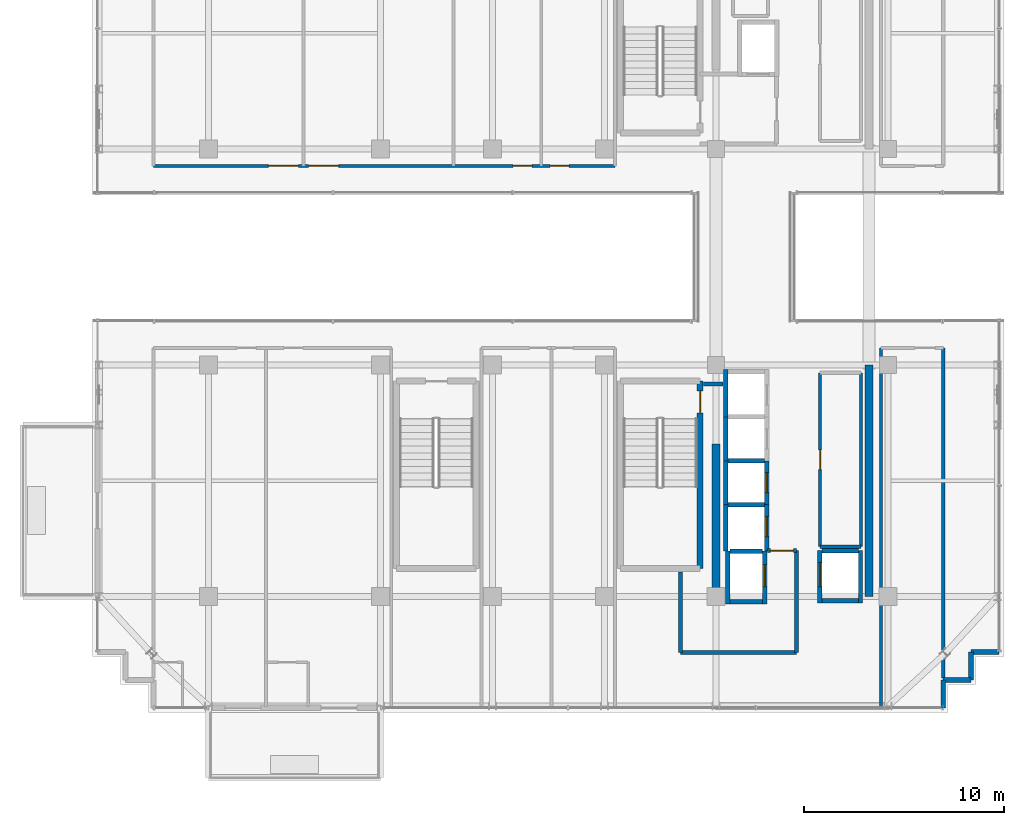
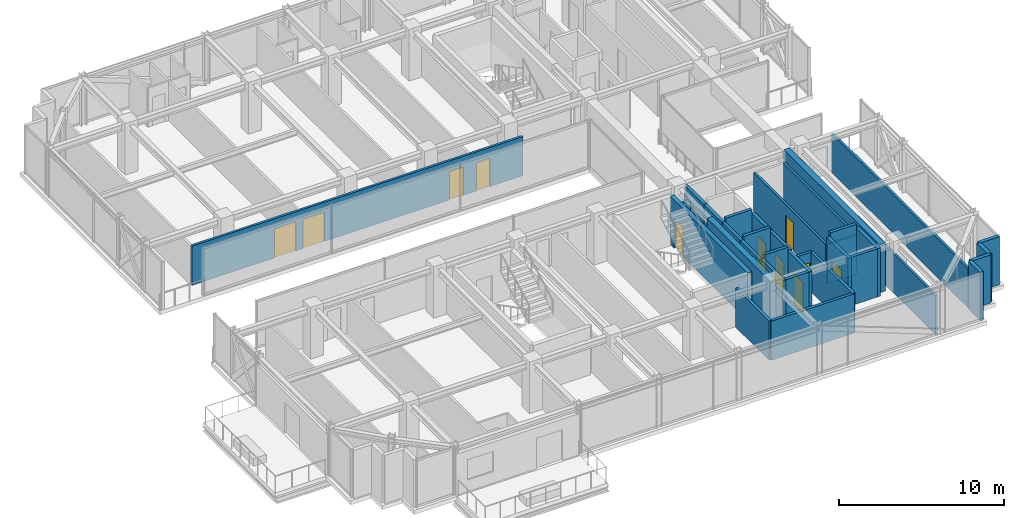
# One storey, part 31 of 37: 34 walls, 11 doors, 11 openings.
"""IFC4 building model written with IfcOpenShell, lengths in metres."""

from ifc_helpers import new_model, si_unit, direction, frame, frame_2d, origin, place, context, subcontext, project, spatial, rectangle, extrude, source, transform, mapped, material, layer, layer_set, type_object, element, fill, save


model = new_model("IFC4")

# Units and contexts
model_context = context("Model", 3, precision=1e-05, world=origin(), true_north=direction((0.0, 1.0)))
body_context = subcontext(model_context, "Body", "Model", "MODEL_VIEW")
ifc_project = project(units=[si_unit("LENGTHUNIT", "METRE"), si_unit("AREAUNIT", "SQUARE_METRE"), si_unit("VOLUMEUNIT", "CUBIC_METRE"), si_unit("PLANEANGLEUNIT", "RADIAN"), si_unit("MASSUNIT", "GRAM", prefix="KILO")], contexts=[model_context])

# Site, building, storey
site_placement = place(None, origin())
site = spatial("IfcSite", under=ifc_project, at=site_placement, CompositionType="ELEMENT")
building_placement = place(site_placement, origin())
building = spatial("IfcBuilding", under=site, at=building_placement, Name="Nahalor Promenade Grand Hotel", CompositionType="ELEMENT")
storey_placement = place(building_placement, frame((0.0, 0.0, 308.050048828125)))
storey = spatial("IfcBuildingStorey", under=building, at=storey_placement, Name="L79", CompositionType="ELEMENT", Elevation=308.050048828125)

# Walls
ifc_material_1 = material(Name="Concrete B-50 (C40/50)", Category="concrete")
ifc_layer_1 = layer(ifc_material_1, 0.39990234375)
ifc_layer_set_1 = layer_set([ifc_layer_1], Name="Concrete B-50 (C40/50)")
wall_type_1 = type_object("IfcWallType", Name="Wall-CoreShear-400", PredefinedType="SHEAR", material=ifc_layer_set_1)
shared_shape_1 = source(origin(), body_context, "Body", "SweptSolid", [
    extrude(rectangle(XDim=7.64990234375, YDim=0.39990234375, at=frame_2d((3.824951171875, 0.0))), origin(), (0.0, 0.0, 1.0), 3.550048828125),
])
wall_1_placement = place(storey_placement, frame((8.39990234375, -17.0, 0.0), z_axis=(0.0, 0.0, 1.0), x_axis=(0.0, 1.0, 0.0)))
element("IfcWall", 1, at=wall_1_placement, inside=storey, type_object=wall_type_1, Name="CWALL-L79-SW", PredefinedType="SHEAR", context=body_context, shape_type="MappedRepresentation", body=[
    mapped(shared_shape_1, transform((0.0, 0.0, 0.0), scale=1.0)),
])
shared_shape_2 = source(origin(), body_context, "Body", "SweptSolid", [
    extrude(rectangle(XDim=11.60009765625, YDim=0.39990234375, at=frame_2d((5.800048828125, 0.0))), origin(), (0.0, 0.0, 1.0), 3.550048828125),
])
wall_2_placement = place(storey_placement, frame((16.050048828125, -17.0, 0.0), z_axis=(0.0, 0.0, 1.0), x_axis=(0.0, 1.0, 0.0)))
element("IfcWall", 2, at=wall_2_placement, inside=storey, type_object=wall_type_1, Name="CWALL-L79-SE", PredefinedType="SHEAR", context=body_context, shape_type="MappedRepresentation", body=[
    mapped(shared_shape_2, transform((0.0, 0.0, 0.0), scale=1.0)),
])

# Wall, opening, door
ifc_layer_2 = layer(ifc_material_1, 0.300048828125)
ifc_layer_set_2 = layer_set([ifc_layer_2], Name="Concrete B-50 (C40/50)")
wall_type_2 = type_object("IfcWallType", Name="Wall-ShaftShear-300", PredefinedType="SHEAR", material=ifc_layer_set_2)
shared_shape_3 = source(origin(), body_context, "Body", "SweptSolid", [
    extrude(rectangle(XDim=9.380126953125, YDim=0.300048828125, at=frame_2d((4.68994140625, 0.0))), origin(), (0.0, 0.0, 1.0), 3.550048828125),
])
wall_3_placement = place(storey_placement, frame((7.590087890625, -15.590087890625, 0.0), z_axis=(0.0, 0.0, 1.0), x_axis=(0.0, 1.0, 0.0)))
wall_3 = element("IfcWall", 3, at=wall_3_placement, inside=storey, type_object=wall_type_2, Name="L79 Exit Stair ST2 Shaft Wall E", PredefinedType="SHEAR", context=body_context, shape_type="MappedRepresentation", body=[
    mapped(shared_shape_3, transform((0.0, 0.0, 0.0), scale=1.0)),
])
opening_1_placement = place(wall_3_placement, frame((7.7900390625, 0.0, 0.0)))
opening_1 = element("IfcOpeningElement", 4, at=opening_1_placement, cuts=wall_3, Name="Opening D-ST1", PredefinedType="OPENING", context=body_context, shape_type="SweptSolid", body=[
    extrude(rectangle(XDim=1.10009765625, YDim=2.14990234375, at=frame_2d((0.550048828125, 1.074951171875))), frame((0.0, 0.159912109375, 0.0), z_axis=(0.0, -1.0, 0.0), x_axis=(1.0, 0.0, 0.0)), (0.0, 0.0, 1.0), 0.320068359375),
])
ifc_material_2 = material(Name="Steel S355JR", Category="steel")
door_type_1 = type_object("IfcDoorType", Name="Door-StairFire-1100", OperationType="NOTDEFINED", PredefinedType="DOOR", material=ifc_material_2)
shared_shape_4 = source(origin(), body_context, "Body", "SweptSolid", [
    extrude(rectangle(XDim=1.10009765625, YDim=2.14990234375, at=frame_2d((0.550048828125, 1.074951171875))), frame((0.0, 0.02490234375, 0.0), z_axis=(0.0, -1.0, 0.0), x_axis=(1.0, 0.0, 0.0)), (0.0, 0.0, 1.0), 0.050048828125),
])
door_1_placement = place(opening_1_placement, origin())
door_1 = element("IfcDoor", 5, at=door_1_placement, inside=storey, type_object=door_type_1, Name="DR-STAIR-ST2-L79", OperationType="SINGLE_SWING_RIGHT", OverallHeight=2.14990234375, OverallWidth=1.10009765625, PredefinedType="DOOR", context=body_context, shape_type="MappedRepresentation", body=[
    mapped(shared_shape_4, transform((0.0, 0.0, 0.0), scale=1.0)),
])
fill(opening_1, door_1)

# Walls
ifc_layer_3 = layer(ifc_material_1, 0.219970703125)
ifc_layer_set_3 = layer_set([ifc_layer_3], Name="Concrete B-50 (C40/50)")
wall_type_3 = type_object("IfcWallType", Name="Wall-LiftShaft-220", PredefinedType="SHEAR", material=ifc_layer_set_3)
shared_shape_5 = source(origin(), body_context, "Body", "SweptSolid", [
    extrude(rectangle(XDim=2.360107421875, YDim=0.219970703125, at=frame_2d((1.18017578125, 0.0))), origin(), (0.0, 0.0, 1.0), 3.550048828125),
])
wall_4_placement = place(storey_placement, frame((8.8798828125, -8.0, 0.0), z_axis=(0.0, 0.0, 1.0), x_axis=(0.0, 1.0, 0.0)))
element("IfcWall", 6, at=wall_4_placement, inside=storey, type_object=wall_type_3, Name="L79 Lift PL9 Hoistway Wall W", PredefinedType="SHEAR", context=body_context, shape_type="MappedRepresentation", body=[
    mapped(shared_shape_5, transform((0.0, 0.0, 0.0), scale=1.0)),
])
shared_shape_6 = source(origin(), body_context, "Body", "SweptSolid", [
    extrude(rectangle(XDim=1.820068359375, YDim=0.219970703125, at=frame_2d((0.91015625, 0.0))), origin(), (0.0, 0.0, 1.0), 3.550048828125),
])
wall_5_placement = place(storey_placement, frame((13.68994140625, -17.199951171875, 0.0), z_axis=(0.0, 0.0, 1.0), x_axis=(1.0, 0.0, 0.0)))
element("IfcWall", 7, at=wall_5_placement, inside=storey, type_object=wall_type_3, Name="L79 Lift SV2 Hoistway Wall S", PredefinedType="SHEAR", context=body_context, shape_type="MappedRepresentation", body=[
    mapped(shared_shape_6, transform((0.0, 0.0, 0.0), scale=1.0)),
])
shared_shape_7 = source(origin(), body_context, "Body", "SweptSolid", [
    extrude(rectangle(XDim=2.199951171875, YDim=0.219970703125, at=frame_2d((1.10009765625, 0.0))), origin(), (0.0, 0.0, 1.0), 3.550048828125),
])
for number, where, z_axis, x_axis, name in (
    (8, (8.8798828125, -10.199951171875, 0.0), (0.0, 0.0, 1.0), (0.0, 1.0, 0.0), "L79 Lift PL10 Hoistway Wall W"),
    (9, (8.8798828125, -12.39990234375, 0.0), (0.0, 0.0, 1.0), (0.0, 1.0, 0.0), "L79 Lift PL11 Hoistway Wall W"),
):
    element("IfcWall", number, at=place(storey_placement, frame(where, z_axis=z_axis, x_axis=x_axis)), inside=storey, type_object=wall_type_3, Name=name, PredefinedType="SHEAR", context=body_context, shape_type="MappedRepresentation", body=[
        mapped(shared_shape_7, transform((0.0, 0.0, 0.0), scale=1.0)),
    ])

# Wall, opening, door
wall_6_placement = place(storey_placement, frame((10.919921875, -12.39990234375, 0.0), z_axis=(0.0, 0.0, 1.0), x_axis=(0.0, 1.0, 0.0)))
wall_6 = element("IfcWall", 10, at=wall_6_placement, inside=storey, type_object=wall_type_3, Name="L79 Lift PL11 Hoistway Wall E", PredefinedType="SHEAR", context=body_context, shape_type="MappedRepresentation", body=[
    mapped(shared_shape_7, transform((0.0, 0.0, 0.0), scale=1.0)),
])
opening_2_placement = place(wall_6_placement, frame((0.60009765625, 0.0, 0.0)))
opening_2 = element("IfcOpeningElement", 11, at=opening_2_placement, cuts=wall_6, Name="Opening LD-01", PredefinedType="OPENING", context=body_context, shape_type="SweptSolid", body=[
    extrude(rectangle(XDim=1.0, YDim=2.199951171875, at=frame_2d((0.5, 1.10009765625))), frame((0.0, 0.119873046875, 0.0), z_axis=(0.0, -1.0, 0.0), x_axis=(1.0, 0.0, 0.0)), (0.0, 0.0, 1.0), 0.239990234375),
])
door_type_2 = type_object("IfcDoorType", Name="Door-LiftLanding-1000", OperationType="DOUBLE_DOOR_SLIDING", PredefinedType="DOOR", material=ifc_material_2)
shared_shape_8 = source(origin(), body_context, "Body", "SweptSolid", [
    extrude(rectangle(XDim=1.0, YDim=2.199951171875, at=frame_2d((0.5, 1.10009765625))), frame((0.0, 0.02490234375, 0.0), z_axis=(0.0, -1.0, 0.0), x_axis=(1.0, 0.0, 0.0)), (0.0, 0.0, 1.0), 0.050048828125),
])
door_2_placement = place(opening_2_placement, frame((1.0, 0.0, 0.0), z_axis=(0.0, 0.0, 1.0), x_axis=(-1.0, 0.0, 0.0)))
door_2 = element("IfcDoor", 12, at=door_2_placement, inside=storey, type_object=door_type_2, Name="DR-LIFT-PL11-L79", OperationType="DOUBLE_DOOR_SLIDING", OverallHeight=2.199951171875, OverallWidth=1.0, PredefinedType="DOOR", context=body_context, shape_type="MappedRepresentation", body=[
    mapped(shared_shape_8, transform((0.0, 0.0, 0.0), scale=1.0)),
])
fill(opening_2, door_2)

# Walls
shared_shape_9 = source(origin(), body_context, "Body", "SweptSolid", [
    extrude(rectangle(XDim=1.820068359375, YDim=0.219970703125, at=frame_2d((0.91015625, 0.0))), origin(), (0.0, 0.0, 1.0), 3.849853515625),
])
for number, where, z_axis, x_axis, name in (
    (13, (8.989990234375, -10.199951171875, 0.0), (0.0, 0.0, 1.0), (1.0, 0.0, 0.0), "L79 Lift PL11 Hoistway Wall N"),
    (14, (8.989990234375, -12.39990234375, 0.0), (0.0, 0.0, 1.0), (1.0, 0.0, 0.0), "L79 Lift PL12 Hoistway Wall N"),
    (15, (13.68994140625, -14.699951171875, 0.0), (0.0, 0.0, 1.0), (1.0, 0.0, 0.0), "L79 Lift SV2 Hoistway Wall N"),
):
    element("IfcWall", number, at=place(storey_placement, frame(where, z_axis=z_axis, x_axis=x_axis)), inside=storey, type_object=wall_type_3, Name=name, PredefinedType="SHEAR", context=body_context, shape_type="MappedRepresentation", body=[
        mapped(shared_shape_9, transform((0.0, 0.0, 0.0), scale=1.0)),
    ])
shared_shape_10 = source(origin(), body_context, "Body", "SweptSolid", [
    extrude(rectangle(XDim=2.3251953125, YDim=0.219970703125, at=frame_2d((1.16259765625, 0.0))), origin(), (0.0, 0.0, 1.0), 3.550048828125),
])
wall_7_placement = place(storey_placement, frame((8.8798828125, -14.72509765625, 0.0), z_axis=(0.0, 0.0, 1.0), x_axis=(0.0, 1.0, 0.0)))
element("IfcWall", 16, at=wall_7_placement, inside=storey, type_object=wall_type_3, Name="L79 Lift PL12 Hoistway Wall W", PredefinedType="SHEAR", context=body_context, shape_type="MappedRepresentation", body=[
    mapped(shared_shape_10, transform((0.0, 0.0, 0.0), scale=1.0)),
])

# Wall, opening, door
wall_8_placement = place(storey_placement, frame((10.919921875, -14.72509765625, 0.0), z_axis=(0.0, 0.0, 1.0), x_axis=(0.0, 1.0, 0.0)))
wall_8 = element("IfcWall", 17, at=wall_8_placement, inside=storey, type_object=wall_type_3, Name="L79 Lift PL12 Hoistway Wall E", PredefinedType="SHEAR", context=body_context, shape_type="MappedRepresentation", body=[
    mapped(shared_shape_10, transform((0.0, 0.0, 0.0), scale=1.0)),
])
opening_3_placement = place(wall_8_placement, frame((0.72509765625, 0.0, 0.0)))
opening_3 = element("IfcOpeningElement", 18, at=opening_3_placement, cuts=wall_8, Name="Opening LD-01", PredefinedType="OPENING", context=body_context, shape_type="SweptSolid", body=[
    extrude(rectangle(XDim=1.0, YDim=2.199951171875, at=frame_2d((0.5, 1.10009765625))), frame((0.0, 0.119873046875, 0.0), z_axis=(0.0, -1.0, 0.0), x_axis=(1.0, 0.0, 0.0)), (0.0, 0.0, 1.0), 0.239990234375),
])
door_3_placement = place(opening_3_placement, frame((1.0, 0.0, 0.0), z_axis=(0.0, 0.0, 1.0), x_axis=(-1.0, 0.0, 0.0)))
door_3 = element("IfcDoor", 19, at=door_3_placement, inside=storey, type_object=door_type_2, Name="DR-LIFT-PL12-L79", OperationType="DOUBLE_DOOR_SLIDING", OverallHeight=2.199951171875, OverallWidth=1.0, PredefinedType="DOOR", context=body_context, shape_type="MappedRepresentation", body=[
    mapped(shared_shape_8, transform((0.0, 0.0, 0.0), scale=1.0)),
])
fill(opening_3, door_3)

# Wall
shared_shape_11 = source(origin(), body_context, "Body", "SweptSolid", [
    extrude(rectangle(XDim=2.635009765625, YDim=0.219970703125, at=frame_2d((1.3173828125, 0.0))), origin(), (0.0, 0.0, 1.0), 3.550048828125),
])
wall_9_placement = place(storey_placement, frame((8.97998046875, -17.360107421875, 0.0), z_axis=(0.0, 0.0, 1.0), x_axis=(0.0, 1.0, 0.0)))
element("IfcWall", 20, at=wall_9_placement, inside=storey, type_object=wall_type_3, Name="L79 Lift FL2 Hoistway Wall W", PredefinedType="SHEAR", context=body_context, shape_type="MappedRepresentation", body=[
    mapped(shared_shape_11, transform((0.0, 0.0, 0.0), scale=1.0)),
])

# Wall, opening, door
wall_10_placement = place(storey_placement, frame((10.820068359375, -17.360107421875, 0.0), z_axis=(0.0, 0.0, 1.0), x_axis=(0.0, 1.0, 0.0)))
wall_10 = element("IfcWall", 21, at=wall_10_placement, inside=storey, type_object=wall_type_3, Name="L79 Lift FL2 Hoistway Wall E", PredefinedType="SHEAR", context=body_context, shape_type="MappedRepresentation", body=[
    mapped(shared_shape_11, transform((0.0, 0.0, 0.0), scale=1.0)),
])
opening_4_placement = place(wall_10_placement, frame((0.860107421875, 0.0, 0.0)))
opening_4 = element("IfcOpeningElement", 22, at=opening_4_placement, cuts=wall_10, Name="Opening LD-02", PredefinedType="OPENING", context=body_context, shape_type="SweptSolid", body=[
    extrude(rectangle(XDim=1.10009765625, YDim=2.199951171875, at=frame_2d((0.550048828125, 1.10009765625))), frame((0.0, 0.119873046875, 0.0), z_axis=(0.0, -1.0, 0.0), x_axis=(1.0, 0.0, 0.0)), (0.0, 0.0, 1.0), 0.239990234375),
])
door_type_3 = type_object("IfcDoorType", Name="Door-LiftFF-1100", OperationType="DOUBLE_DOOR_SLIDING", PredefinedType="DOOR", material=ifc_material_2)
shared_shape_12 = source(origin(), body_context, "Body", "SweptSolid", [
    extrude(rectangle(XDim=1.10009765625, YDim=2.199951171875, at=frame_2d((0.550048828125, 1.10009765625))), frame((0.0, 0.02490234375, 0.0), z_axis=(0.0, -1.0, 0.0), x_axis=(1.0, 0.0, 0.0)), (0.0, 0.0, 1.0), 0.050048828125),
])
door_4_placement = place(opening_4_placement, frame((1.10009765625, 0.0, 0.0), z_axis=(0.0, 0.0, 1.0), x_axis=(-1.0, 0.0, 0.0)))
door_4 = element("IfcDoor", 23, at=door_4_placement, inside=storey, type_object=door_type_3, Name="DR-LIFT-FL2-L79", OperationType="DOUBLE_DOOR_SLIDING", OverallHeight=2.199951171875, OverallWidth=1.10009765625, PredefinedType="DOOR", context=body_context, shape_type="MappedRepresentation", body=[
    mapped(shared_shape_12, transform((0.0, 0.0, 0.0), scale=1.0)),
])
fill(opening_4, door_4)

# Walls
shared_shape_13 = source(origin(), body_context, "Body", "SweptSolid", [
    extrude(rectangle(XDim=1.619873046875, YDim=0.219970703125, at=frame_2d((0.81005859375, 0.0))), origin(), (0.0, 0.0, 1.0), 3.550048828125),
])
wall_11_placement = place(storey_placement, frame((9.090087890625, -17.25, 0.0), z_axis=(0.0, 0.0, 1.0), x_axis=(1.0, 0.0, 0.0)))
element("IfcWall", 24, at=wall_11_placement, inside=storey, type_object=wall_type_3, Name="L79 Lift FL2 Hoistway Wall S", PredefinedType="SHEAR", context=body_context, shape_type="MappedRepresentation", body=[
    mapped(shared_shape_13, transform((0.0, 0.0, 0.0), scale=1.0)),
])
shared_shape_14 = source(origin(), body_context, "Body", "SweptSolid", [
    extrude(rectangle(XDim=1.619873046875, YDim=0.219970703125, at=frame_2d((0.81005859375, 0.0))), origin(), (0.0, 0.0, 1.0), 3.849853515625),
])
wall_12_placement = place(storey_placement, frame((9.090087890625, -14.72509765625, 0.0), z_axis=(0.0, 0.0, 1.0), x_axis=(1.0, 0.0, 0.0)))
element("IfcWall", 25, at=wall_12_placement, inside=storey, type_object=wall_type_3, Name="L79 Lift FL2 Hoistway Wall N", PredefinedType="SHEAR", context=body_context, shape_type="MappedRepresentation", body=[
    mapped(shared_shape_14, transform((0.0, 0.0, 0.0), scale=1.0)),
])

# Wall, opening, door
shared_shape_15 = source(origin(), body_context, "Body", "SweptSolid", [
    extrude(rectangle(XDim=2.610107421875, YDim=0.219970703125, at=frame_2d((1.30517578125, 0.0))), origin(), (0.0, 0.0, 1.0), 3.550048828125),
])
wall_13_placement = place(storey_placement, frame((13.580078125, -17.31005859375, 0.0), z_axis=(0.0, 0.0, 1.0), x_axis=(0.0, 1.0, 0.0)))
wall_13 = element("IfcWall", 26, at=wall_13_placement, inside=storey, type_object=wall_type_3, Name="L79 Lift SV2 Hoistway Wall W", PredefinedType="SHEAR", context=body_context, shape_type="MappedRepresentation", body=[
    mapped(shared_shape_15, transform((0.0, 0.0, 0.0), scale=1.0)),
])
opening_5_placement = place(wall_13_placement, frame((0.81005859375, 0.0, 0.0)))
opening_5 = element("IfcOpeningElement", 27, at=opening_5_placement, cuts=wall_13, Name="Opening LD-03", PredefinedType="OPENING", context=body_context, shape_type="SweptSolid", body=[
    extrude(rectangle(XDim=1.199951171875, YDim=2.199951171875, at=frame_2d((0.60009765625, 1.10009765625))), frame((0.0, 0.119873046875, 0.0), z_axis=(0.0, -1.0, 0.0), x_axis=(1.0, 0.0, 0.0)), (0.0, 0.0, 1.0), 0.239990234375),
])
door_type_4 = type_object("IfcDoorType", Name="Door-LiftService-1200", OperationType="DOUBLE_DOOR_SLIDING", PredefinedType="DOOR", material=ifc_material_2)
shared_shape_16 = source(origin(), body_context, "Body", "SweptSolid", [
    extrude(rectangle(XDim=1.199951171875, YDim=2.199951171875, at=frame_2d((0.60009765625, 1.10009765625))), frame((0.0, 0.02490234375, 0.0), z_axis=(0.0, -1.0, 0.0), x_axis=(1.0, 0.0, 0.0)), (0.0, 0.0, 1.0), 0.050048828125),
])
door_5_placement = place(opening_5_placement, origin())
door_5 = element("IfcDoor", 28, at=door_5_placement, inside=storey, type_object=door_type_4, Name="DR-LIFT-SV2-L79", OperationType="DOUBLE_DOOR_SLIDING", OverallHeight=2.199951171875, OverallWidth=1.199951171875, PredefinedType="DOOR", context=body_context, shape_type="MappedRepresentation", body=[
    mapped(shared_shape_16, transform((0.0, 0.0, 0.0), scale=1.0)),
])
fill(opening_5, door_5)

# Walls
wall_14_placement = place(storey_placement, frame((15.6201171875, -17.31005859375, 0.0), z_axis=(0.0, 0.0, 1.0), x_axis=(0.0, 1.0, 0.0)))
element("IfcWall", 29, at=wall_14_placement, inside=storey, type_object=wall_type_3, Name="L79 Lift SV2 Hoistway Wall E", PredefinedType="SHEAR", context=body_context, shape_type="MappedRepresentation", body=[
    mapped(shared_shape_15, transform((0.0, 0.0, 0.0), scale=1.0)),
])
ifc_material_3 = material(Name="Concrete B-40 (C32/40)", Category="concrete")
ifc_layer_4 = layer(ifc_material_3, 0.25)
ifc_layer_set_4 = layer_set([ifc_layer_4], Name="Concrete B-40 (C32/40)")
wall_type_4 = type_object("IfcWallType", Name="Wall-BronzePier-250", PredefinedType="STANDARD", material=ifc_layer_set_4)
shared_shape_17 = source(origin(), body_context, "Body", "SweptSolid", [
    extrude(rectangle(XDim=1.400146484375, YDim=0.25, at=frame_2d((0.7001953125, 0.0))), origin(), (0.0, 0.0, 1.0), 3.550048828125),
])
for number, where, z_axis, x_axis, name in (
    (30, (19.760009765625, -22.56005859375, 0.0), (0.0, 0.0, 1.0), (0.0, 1.0, 0.0), "W-L79-SR-01"),
    (31, (21.159912109375, -19.760009765625, 0.0), (0.0, 0.0, 1.0), (1.0, 0.0, 0.0), "W-L79-SR-04"),
):
    element("IfcWall", number, at=place(storey_placement, frame(where, z_axis=z_axis, x_axis=x_axis)), inside=storey, type_object=wall_type_4, Name=name, PredefinedType="STANDARD", context=body_context, shape_type="MappedRepresentation", body=[
        mapped(shared_shape_17, transform((0.0, 0.0, 0.0), scale=1.0)),
    ])
shared_shape_18 = source(origin(), body_context, "Body", "SweptSolid", [
    extrude(rectangle(XDim=1.39990234375, YDim=0.25, at=frame_2d((0.699951171875, 0.0))), origin(), (0.0, 0.0, 1.0), 3.550048828125),
])
for number, where, z_axis, x_axis, name in (
    (32, (19.760009765625, -21.159912109375, 0.0), (0.0, 0.0, 1.0), (1.0, 0.0, 0.0), "W-L79-SR-02"),
    (33, (21.159912109375, -21.159912109375, 0.0), (0.0, 0.0, 1.0), (0.0, 1.0, 0.0), "W-L79-SR-03"),
):
    element("IfcWall", number, at=place(storey_placement, frame(where, z_axis=z_axis, x_axis=x_axis)), inside=storey, type_object=wall_type_4, Name=name, PredefinedType="STANDARD", context=body_context, shape_type="MappedRepresentation", body=[
        mapped(shared_shape_18, transform((0.0, 0.0, 0.0), scale=1.0)),
    ])
ifc_layer_5 = layer(ifc_material_3, 0.199951171875)
ifc_layer_set_5 = layer_set([ifc_layer_5], Name="Concrete B-40 (C32/40)")
wall_type_5 = type_object("IfcWallType", Name="Wall-PartFire-200", PredefinedType="PARTITIONING", material=ifc_layer_set_5)
shared_shape_19 = source(origin(), body_context, "Body", "SweptSolid", [
    extrude(rectangle(XDim=5.81982421875, YDim=0.199951171875, at=frame_2d((2.909912109375, 0.0))), origin(), (0.0, 0.0, 1.0), 2.889892578125),
])
wall_15_placement = place(storey_placement, frame((6.60009765625, -19.800048828125, 0.0), z_axis=(0.0, 0.0, 1.0), x_axis=(1.0, 0.0, 0.0)))
element("IfcWall", 34, at=wall_15_placement, inside=storey, type_object=wall_type_5, Name="W-L79-FF2-S1", PredefinedType="PARTITIONING", context=body_context, shape_type="MappedRepresentation", body=[
    mapped(shared_shape_19, transform((0.0, 0.0, 0.0), scale=1.0)),
])
shared_shape_20 = source(origin(), body_context, "Body", "SweptSolid", [
    extrude(rectangle(XDim=4.030029296875, YDim=0.199951171875, at=frame_2d((2.01513671875, 0.0))), origin(), (0.0, 0.0, 1.0), 2.889892578125),
])
wall_16_placement = place(storey_placement, frame((6.60009765625, -19.800048828125, 0.0), z_axis=(0.0, 0.0, 1.0), x_axis=(0.0, 1.0, 0.0)))
element("IfcWall", 35, at=wall_16_placement, inside=storey, type_object=wall_type_5, Name="W-L79-FF2-W1", PredefinedType="PARTITIONING", context=body_context, shape_type="MappedRepresentation", body=[
    mapped(shared_shape_20, transform((0.0, 0.0, 0.0), scale=1.0)),
])
shared_shape_21 = source(origin(), body_context, "Body", "SweptSolid", [
    extrude(rectangle(XDim=5.10009765625, YDim=0.199951171875, at=frame_2d((2.550048828125, 0.0))), origin(), (0.0, 0.0, 1.0), 2.889892578125),
])
wall_17_placement = place(storey_placement, frame((12.419921875, -19.800048828125, 0.0), z_axis=(0.0, 0.0, 1.0), x_axis=(0.0, 1.0, 0.0)))
element("IfcWall", 36, at=wall_17_placement, inside=storey, type_object=wall_type_5, Name="W-L79-FF2-E", PredefinedType="PARTITIONING", context=body_context, shape_type="MappedRepresentation", body=[
    mapped(shared_shape_21, transform((0.0, 0.0, 0.0), scale=1.0)),
])

# Wall, opening, door
shared_shape_22 = source(origin(), body_context, "Body", "SweptSolid", [
    extrude(rectangle(XDim=1.4599609375, YDim=0.199951171875, at=frame_2d((0.72998046875, 0.0))), origin(), (0.0, 0.0, 1.0), 2.889892578125),
])
wall_18_placement = place(storey_placement, frame((10.9599609375, -14.699951171875, 0.0), z_axis=(0.0, 0.0, 1.0), x_axis=(1.0, 0.0, 0.0)))
wall_18 = element("IfcWall", 37, at=wall_18_placement, inside=storey, type_object=wall_type_5, Name="W-L79-FF2-N1", PredefinedType="PARTITIONING", context=body_context, shape_type="MappedRepresentation", body=[
    mapped(shared_shape_22, transform((0.0, 0.0, 0.0), scale=1.0)),
])
opening_6_placement = place(wall_18_placement, frame((0.14501953125, 0.0, 0.0)))
opening_6 = element("IfcOpeningElement", 38, at=opening_6_placement, cuts=wall_18, Name="Opening D-FF1", PredefinedType="OPENING", context=body_context, shape_type="SweptSolid", body=[
    extrude(rectangle(XDim=1.14990234375, YDim=2.14990234375, at=frame_2d((0.574951171875, 1.074951171875))), frame((0.0, 0.10986328125, 0.0), z_axis=(0.0, -1.0, 0.0), x_axis=(1.0, 0.0, 0.0)), (0.0, 0.0, 1.0), 0.219970703125),
])
door_type_5 = type_object("IfcDoorType", Name="Door-FFLobby-1150", OperationType="NOTDEFINED", PredefinedType="DOOR", material=ifc_material_2)
shared_shape_23 = source(origin(), body_context, "Body", "SweptSolid", [
    extrude(rectangle(XDim=1.14990234375, YDim=2.14990234375, at=frame_2d((0.574951171875, 1.074951171875))), frame((0.0, 0.02490234375, 0.0), z_axis=(0.0, -1.0, 0.0), x_axis=(1.0, 0.0, 0.0)), (0.0, 0.0, 1.0), 0.050048828125),
])
door_6_placement = place(opening_6_placement, origin())
door_6 = element("IfcDoor", 39, at=door_6_placement, inside=storey, type_object=door_type_5, Name="DR-L79-FFL2", OperationType="SINGLE_SWING_RIGHT", OverallHeight=2.14990234375, OverallWidth=1.14990234375, PredefinedType="DOOR", context=body_context, shape_type="MappedRepresentation", body=[
    mapped(shared_shape_23, transform((0.0, 0.0, 0.0), scale=1.0)),
])
fill(opening_6, door_6)

# Walls
shared_shape_24 = source(origin(), body_context, "Body", "SweptSolid", [
    extrude(rectangle(XDim=0.969970703125, YDim=0.199951171875, at=frame_2d((0.48486328125, 0.0))), origin(), (0.0, 0.0, 1.0), 2.889892578125),
])
wall_19_placement = place(storey_placement, frame((7.77001953125, -6.35009765625, 0.0), z_axis=(0.0, 0.0, 1.0), x_axis=(1.0, 0.0, 0.0)))
element("IfcWall", 40, at=wall_19_placement, inside=storey, type_object=wall_type_5, Name="W-L79-FF2-N2", PredefinedType="PARTITIONING", context=body_context, shape_type="MappedRepresentation", body=[
    mapped(shared_shape_24, transform((0.0, 0.0, 0.0), scale=1.0)),
])
ifc_material_4 = material(Name="Acoustic Mineral Gypsum", Category="gypsum")
ifc_layer_6 = layer(ifc_material_4, 0.159912109375)
ifc_layer_set_6 = layer_set([ifc_layer_6], Name="Acoustic Mineral Gypsum")
wall_type_6 = type_object("IfcWallType", Name="Wall-PartCorridor-160", PredefinedType="PARTITIONING", material=ifc_layer_set_6)
shared_shape_25 = source(origin(), body_context, "Body", "SweptSolid", [
    extrude(rectangle(XDim=2.0498046875, YDim=0.159912109375, at=frame_2d((1.02490234375, 0.0))), origin(), (0.0, 0.0, 1.0), 2.889892578125),
])
wall_20_placement = place(storey_placement, frame((13.60009765625, -14.5, 0.0), z_axis=(0.0, 0.0, 1.0), x_axis=(1.0, 0.0, 0.0)))
element("IfcWall", 41, at=wall_20_placement, inside=storey, type_object=wall_type_6, Name="W-L79-FRB2-S", PredefinedType="PARTITIONING", context=body_context, shape_type="MappedRepresentation", body=[
    mapped(shared_shape_25, transform((0.0, 0.0, 0.0), scale=1.0)),
])
shared_shape_26 = source(origin(), body_context, "Body", "SweptSolid", [
    extrude(rectangle(XDim=17.949951171875, YDim=0.159912109375, at=frame_2d((8.97509765625, 0.0))), origin(), (0.0, 0.0, 1.0), 2.889892578125),
])
wall_21_placement = place(storey_placement, frame((16.64990234375, -22.5, 0.0), z_axis=(0.0, 0.0, 1.0), x_axis=(0.0, 1.0, 0.0)))
element("IfcWall", 42, at=wall_21_placement, inside=storey, type_object=wall_type_6, Name="W-L79-ESE-W", PredefinedType="PARTITIONING", context=body_context, shape_type="MappedRepresentation", body=[
    mapped(shared_shape_26, transform((0.0, 0.0, 0.0), scale=1.0)),
])
shared_shape_27 = source(origin(), body_context, "Body", "SweptSolid", [
    extrude(rectangle(XDim=16.530029296875, YDim=0.159912109375, at=frame_2d((8.26513671875, 0.0))), origin(), (0.0, 0.0, 1.0), 2.889892578125),
])
wall_22_placement = place(storey_placement, frame((19.760009765625, -21.080078125, 0.0), z_axis=(0.0, 0.0, 1.0), x_axis=(0.0, 1.0, 0.0)))
element("IfcWall", 43, at=wall_22_placement, inside=storey, type_object=wall_type_6, Name="W-L79-ESE-E", PredefinedType="PARTITIONING", context=body_context, shape_type="MappedRepresentation", body=[
    mapped(shared_shape_27, transform((0.0, 0.0, 0.0), scale=1.0)),
])

# Wall, openings, doors
shared_shape_28 = source(origin(), body_context, "Body", "SweptSolid", [
    extrude(rectangle(XDim=23.10009765625, YDim=0.159912109375, at=frame_2d((11.550048828125, 0.0))), origin(), (0.0, 0.0, 1.0), 2.889892578125),
])
wall_23_placement = place(storey_placement, frame((-19.760009765625, 4.550048828125, 0.0), z_axis=(0.0, 0.0, 1.0), x_axis=(1.0, 0.0, 0.0)))
wall_23 = element("IfcWall", 44, at=wall_23_placement, inside=storey, type_object=wall_type_6, Name="W-L79-CORR-N", PredefinedType="PARTITIONING", context=body_context, shape_type="MappedRepresentation", body=[
    mapped(shared_shape_28, transform((0.0, 0.0, 0.0), scale=1.0)),
])
opening_7_placement = place(wall_23_placement, frame((5.751953125, 0.0, 0.0)))
opening_7 = element("IfcOpeningElement", 45, at=opening_7_placement, cuts=wall_23, Name="Opening D-02", PredefinedType="OPENING", context=body_context, shape_type="SweptSolid", body=[
    extrude(rectangle(XDim=1.5, YDim=2.14990234375, at=frame_2d((0.75, 1.074951171875))), frame((0.0, 0.08984375, 0.0), z_axis=(0.0, -1.0, 0.0), x_axis=(1.0, 0.0, 0.0)), (0.0, 0.0, 1.0), 0.179931640625),
])
opening_8_placement = place(wall_23_placement, frame((7.761962890625, 0.0, 0.0)))
opening_8 = element("IfcOpeningElement", 46, at=opening_8_placement, cuts=wall_23, Name="Opening D-02", PredefinedType="OPENING", context=body_context, shape_type="SweptSolid", body=[
    extrude(rectangle(XDim=1.5, YDim=2.14990234375, at=frame_2d((0.75, 1.074951171875))), frame((0.0, 0.08984375, 0.0), z_axis=(0.0, -1.0, 0.0), x_axis=(1.0, 0.0, 0.0)), (0.0, 0.0, 1.0), 0.179931640625),
])
opening_9_placement = place(wall_23_placement, frame((17.991943359375, 0.0, 0.0)))
opening_9 = element("IfcOpeningElement", 47, at=opening_9_placement, cuts=wall_23, Name="Opening D-01", PredefinedType="OPENING", context=body_context, shape_type="SweptSolid", body=[
    extrude(rectangle(XDim=0.949951171875, YDim=2.10009765625, at=frame_2d((0.47509765625, 1.050048828125))), frame((0.0, 0.08984375, 0.0), z_axis=(0.0, -1.0, 0.0), x_axis=(1.0, 0.0, 0.0)), (0.0, 0.0, 1.0), 0.179931640625),
])
opening_10_placement = place(wall_23_placement, frame((19.85107421875, 0.0, 0.0)))
opening_10 = element("IfcOpeningElement", 48, at=opening_10_placement, cuts=wall_23, Name="Opening D-01", PredefinedType="OPENING", context=body_context, shape_type="SweptSolid", body=[
    extrude(rectangle(XDim=0.949951171875, YDim=2.10009765625, at=frame_2d((0.47509765625, 1.050048828125))), frame((0.0, 0.08984375, 0.0), z_axis=(0.0, -1.0, 0.0), x_axis=(1.0, 0.0, 0.0)), (0.0, 0.0, 1.0), 0.179931640625),
])
ifc_material_5 = material(Name="Fire-Rated Timber Composite", Category="wood")
door_type_6 = type_object("IfcDoorType", Name="Door-SuiteDouble-1500", OperationType="DOUBLE_DOOR_SINGLE_SWING", PredefinedType="DOOR", material=ifc_material_5)
shared_shape_29 = source(origin(), body_context, "Body", "SweptSolid", [
    extrude(rectangle(XDim=1.5, YDim=2.14990234375, at=frame_2d((0.75, 1.074951171875))), frame((0.0, 0.02490234375, 0.0), z_axis=(0.0, -1.0, 0.0), x_axis=(1.0, 0.0, 0.0)), (0.0, 0.0, 1.0), 0.050048828125),
])
door_7_placement = place(opening_7_placement, origin())
door_7 = element("IfcDoor", 49, at=door_7_placement, inside=storey, type_object=door_type_6, Name="DR-L79-N1-ENT", OperationType="DOUBLE_DOOR_SINGLE_SWING", OverallHeight=2.14990234375, OverallWidth=1.5, PredefinedType="DOOR", context=body_context, shape_type="MappedRepresentation", body=[
    mapped(shared_shape_29, transform((0.0, 0.0, 0.0), scale=1.0)),
])
fill(opening_7, door_7)
door_8_placement = place(opening_8_placement, origin())
door_8 = element("IfcDoor", 50, at=door_8_placement, inside=storey, type_object=door_type_6, Name="DR-L79-N2-ENT", OperationType="DOUBLE_DOOR_SINGLE_SWING", OverallHeight=2.14990234375, OverallWidth=1.5, PredefinedType="DOOR", context=body_context, shape_type="MappedRepresentation", body=[
    mapped(shared_shape_29, transform((0.0, 0.0, 0.0), scale=1.0)),
])
fill(opening_8, door_8)
door_type_7 = type_object("IfcDoorType", Name="Door-GuestEntry-950", OperationType="NOTDEFINED", PredefinedType="DOOR", material=ifc_material_5)
shared_shape_30 = source(origin(), body_context, "Body", "SweptSolid", [
    extrude(rectangle(XDim=0.949951171875, YDim=2.10009765625, at=frame_2d((0.47509765625, 1.050048828125))), frame((0.0, 0.02490234375, 0.0), z_axis=(0.0, -1.0, 0.0), x_axis=(1.0, 0.0, 0.0)), (0.0, 0.0, 1.0), 0.050048828125),
])
door_9_placement = place(opening_9_placement, origin())
door_9 = element("IfcDoor", 51, at=door_9_placement, inside=storey, type_object=door_type_7, Name="DR-L79-N3-ENT", OperationType="SINGLE_SWING_LEFT", OverallHeight=2.10009765625, OverallWidth=0.949951171875, PredefinedType="DOOR", context=body_context, shape_type="MappedRepresentation", body=[
    mapped(shared_shape_30, transform((0.0, 0.0, 0.0), scale=1.0)),
])
fill(opening_9, door_9)
door_10_placement = place(opening_10_placement, origin())
door_10 = element("IfcDoor", 52, at=door_10_placement, inside=storey, type_object=door_type_7, Name="DR-L79-N4-ENT", OperationType="SINGLE_SWING_LEFT", OverallHeight=2.10009765625, OverallWidth=0.949951171875, PredefinedType="DOOR", context=body_context, shape_type="MappedRepresentation", body=[
    mapped(shared_shape_30, transform((0.0, 0.0, 0.0), scale=1.0)),
])
fill(opening_10, door_10)

# Wall, opening, door
shared_shape_31 = source(origin(), body_context, "Body", "SweptSolid", [
    extrude(rectangle(XDim=8.699951171875, YDim=0.159912109375, at=frame_2d((4.35009765625, 0.0))), origin(), (0.0, 0.0, 1.0), 2.889892578125),
])
wall_24_placement = place(storey_placement, frame((13.60009765625, -14.5, 0.0), z_axis=(0.0, 0.0, 1.0), x_axis=(0.0, 1.0, 0.0)))
wall_24 = element("IfcWall", 53, at=wall_24_placement, inside=storey, type_object=wall_type_6, Name="W-L79-FRB2-W", PredefinedType="PARTITIONING", context=body_context, shape_type="MappedRepresentation", body=[
    mapped(shared_shape_31, transform((0.0, 0.0, 0.0), scale=1.0)),
])
opening_11_placement = place(wall_24_placement, frame((3.85009765625, 0.0, 0.0)))
opening_11 = element("IfcOpeningElement", 54, at=opening_11_placement, cuts=wall_24, Name="Opening D-04", PredefinedType="OPENING", context=body_context, shape_type="SweptSolid", body=[
    extrude(rectangle(XDim=1.0, YDim=2.10009765625, at=frame_2d((0.5, 1.050048828125))), frame((0.0, 0.08984375, 0.0), z_axis=(0.0, -1.0, 0.0), x_axis=(1.0, 0.0, 0.0)), (0.0, 0.0, 1.0), 0.179931640625),
])
door_type_8 = type_object("IfcDoorType", Name="Door-ServiceFire-1000", OperationType="NOTDEFINED", PredefinedType="DOOR", material=ifc_material_2)
shared_shape_32 = source(origin(), body_context, "Body", "SweptSolid", [
    extrude(rectangle(XDim=1.0, YDim=2.10009765625, at=frame_2d((0.5, 1.050048828125))), frame((0.0, 0.02490234375, 0.0), z_axis=(0.0, -1.0, 0.0), x_axis=(1.0, 0.0, 0.0)), (0.0, 0.0, 1.0), 0.050048828125),
])
door_11_placement = place(opening_11_placement, frame((1.0, 0.0, 0.0), z_axis=(0.0, 0.0, 1.0), x_axis=(-1.0, 0.0, 0.0)))
door_11 = element("IfcDoor", 55, at=door_11_placement, inside=storey, type_object=door_type_8, Name="DR-L79-FRB2", OperationType="SINGLE_SWING_LEFT", OverallHeight=2.10009765625, OverallWidth=1.0, PredefinedType="DOOR", context=body_context, shape_type="MappedRepresentation", body=[
    mapped(shared_shape_32, transform((0.0, 0.0, 0.0), scale=1.0)),
])
fill(opening_11, door_11)

# Wall
wall_25_placement = place(storey_placement, frame((15.64990234375, -14.5, 0.0), z_axis=(0.0, 0.0, 1.0), x_axis=(0.0, 1.0, 0.0)))
element("IfcWall", 56, at=wall_25_placement, inside=storey, type_object=wall_type_6, Name="W-L79-FRB2-E", PredefinedType="PARTITIONING", context=body_context, shape_type="MappedRepresentation", body=[
    mapped(shared_shape_31, transform((0.0, 0.0, 0.0), scale=1.0)),
])

save(model, "model.ifc")
